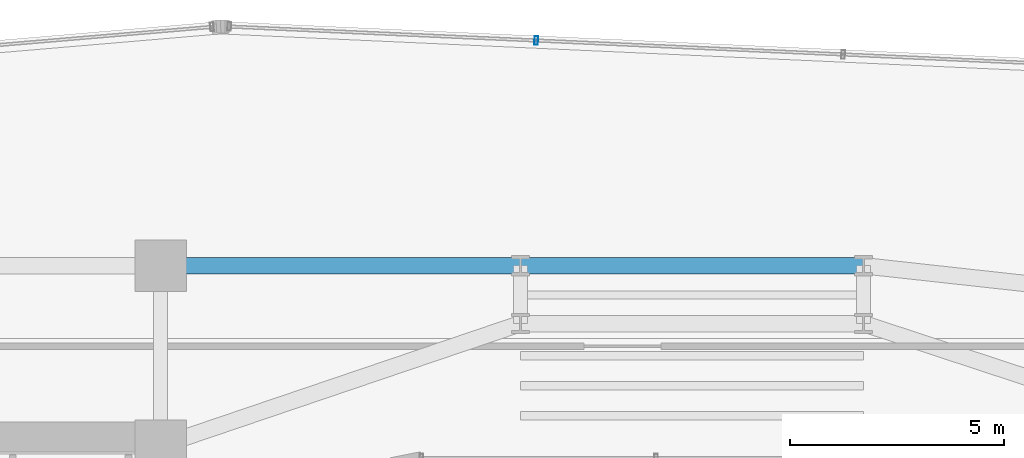
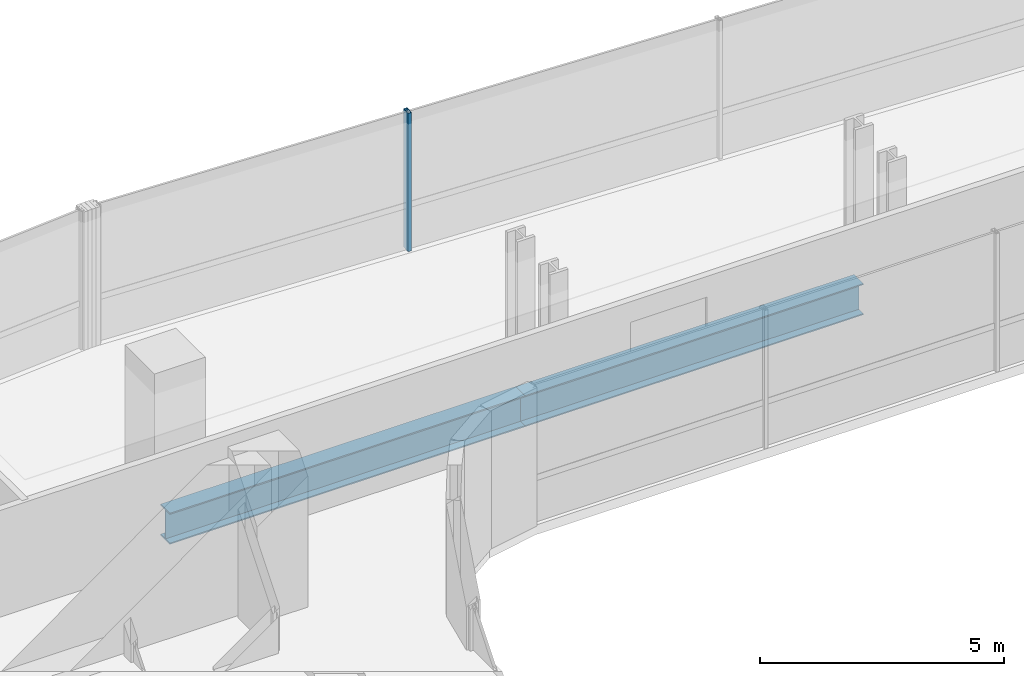
# One storey, part 21 of 35: 2 beams, 1 member, 1 element without a shape of its own.
"""IFC4 building model written with IfcOpenShell, lengths in metres."""

import ifcopenshell
import ifcopenshell.guid

model = None  # the IFC model being written
_history = None  # IfcOwnerHistory: only IFC2X3 demands one
_inside = {}  # id of a spatial element -> (the spatial element, [elements in it])
_under = {}  # id of a project, library or spatial element -> (it, [spatial elements below it])
_declared = {}  # id of a project -> (the project, [libraries it declares])
_typed = {}  # id of a type object -> (the type object, [elements of that type])
_made_of = {}  # id of a material, layer set ... -> (it, [elements and type objects made of it])


def new_model(schema):
    """Start an empty IFC model of exactly this schema.

    Asked for "IFC4X3", IfcOpenShell would pick the latest addendum, in which some entities
    have other attributes; the version numbers below select the first issue.
    IFC2X3 requires an IfcOwnerHistory on every rooted entity: one is made here for all.
    """
    global model, _history
    if schema == "IFC4X3":
        model = ifcopenshell.file(schema_version=(4, 3, 0, 0))
    else:
        model = ifcopenshell.file(schema=schema)
    _inside.clear()
    _under.clear()
    _declared.clear()
    _typed.clear()
    _made_of.clear()
    _history = None
    if model.schema == "IFC2X3":
        org = make("IfcOrganization", Name="unknown")
        user = make(
            "IfcPersonAndOrganization",
            ThePerson=make("IfcPerson", FamilyName="unknown"),
            TheOrganization=org,
        )
        app = make(
            "IfcApplication",
            ApplicationDeveloper=org,
            Version="unknown",
            ApplicationFullName="unknown",
            ApplicationIdentifier="unknown",
        )
        _history = make(
            "IfcOwnerHistory",
            OwningUser=user,
            OwningApplication=app,
            ChangeAction="ADDED",
            CreationDate=0,
        )
    return model


def make(cls, **values):
    """One entity of the class cls with the attributes given. An attribute that is None is left unset."""
    return model.create_entity(
        cls, **{name: value for name, value in values.items() if value is not None}
    )


def rooted(cls, **values):
    """An entity with a GlobalId (a new one), such as an element, a storey or a relation."""
    return make(cls, GlobalId=ifcopenshell.guid.new(), OwnerHistory=_history, **values)


def si_unit(unit_type, name, prefix=None):
    """IfcSIUnit, for example si_unit("LENGTHUNIT", "METRE", prefix="MILLI")."""
    return make("IfcSIUnit", UnitType=unit_type, Prefix=prefix, Name=name)


def assignment(units):
    """IfcUnitAssignment: the units of a project."""
    return None if units is None else make("IfcUnitAssignment", Units=units)


def point(xyz):
    """IfcCartesianPoint."""
    return None if xyz is None else make("IfcCartesianPoint", Coordinates=xyz)


def direction(xyz):
    """IfcDirection."""
    return None if xyz is None else make("IfcDirection", DirectionRatios=xyz)


def frame(location, z_axis=None, x_axis=None):
    """IfcAxis2Placement3D, a coordinate frame: its origin and axes. An axis left out is left unset."""
    return make(
        "IfcAxis2Placement3D",
        Location=point(location),
        Axis=direction(z_axis),
        RefDirection=direction(x_axis),
    )


def frame_2d(location, x_axis=None):
    """IfcAxis2Placement2D, a coordinate frame in the plane: its origin and x axis."""
    return make(
        "IfcAxis2Placement2D", Location=point(location), RefDirection=direction(x_axis)
    )


def origin():
    """The frame at (0, 0, 0) with its axes left unset."""
    return frame((0.0, 0.0, 0.0))


def origin_2d():
    """The frame at (0, 0) in the plane with its x axis left unset."""
    return frame_2d((0.0, 0.0))


def place(relative_to, where):
    """IfcLocalPlacement: puts the frame where relative to a parent placement (None: the world)."""
    return make(
        "IfcLocalPlacement", PlacementRelTo=relative_to, RelativePlacement=where
    )


def context(
    kind, dimensions, precision=None, world=None, true_north=None, identifier=None
):
    """IfcGeometricRepresentationContext, for example the 3D "Model" context."""
    return make(
        "IfcGeometricRepresentationContext",
        ContextIdentifier=identifier,
        ContextType=kind,
        CoordinateSpaceDimension=dimensions,
        Precision=precision,
        WorldCoordinateSystem=world,
        TrueNorth=true_north,
    )


def subcontext(parent, identifier, kind, view, scale=None):
    """IfcGeometricRepresentationSubContext, for example "Body" below "Model"."""
    return make(
        "IfcGeometricRepresentationSubContext",
        ContextIdentifier=identifier,
        ContextType=kind,
        ParentContext=parent,
        TargetScale=scale,
        TargetView=view,
    )


def project(units=None, contexts=None):
    """IfcProject with its units and contexts."""
    return rooted(
        "IfcProject",
        Name="project",
        RepresentationContexts=contexts,
        UnitsInContext=assignment(units),
    )


def spatial(cls, under=None, at=None, **own):
    """A site, building, storey or space (cls), placed at a placement, below another one or the project."""
    s = rooted(cls, ObjectPlacement=at, **own)
    if under is not None:
        _under.setdefault(under.id(), (under, []))[1].append(s)
    return s


def profile(cls, at=None, kind="AREA", **sizes):
    """A parametric profile (cls). Its sizes go by their IFC names, for example OverallWidth=200.0."""
    return make(cls, ProfileType=kind, Position=at, **sizes)


def hollow_rectangle(**sizes):
    """IfcRectangleHollowProfileDef."""
    return profile("IfcRectangleHollowProfileDef", **sizes)


def i_section(**sizes):
    """IfcIShapeProfileDef."""
    return profile("IfcIShapeProfileDef", **sizes)


def extrude(swept, where, along, depth):
    """IfcExtrudedAreaSolid: the profile swept, set in the frame where, extruded along a direction by depth."""
    return make(
        "IfcExtrudedAreaSolid",
        SweptArea=swept,
        Position=where,
        ExtrudedDirection=direction(along),
        Depth=depth,
    )


def shape(context_of_items, identifier, shape_type, items):
    """IfcShapeRepresentation: the items that make up one representation, for example the "Body"."""
    return make(
        "IfcShapeRepresentation",
        ContextOfItems=context_of_items,
        RepresentationIdentifier=identifier,
        RepresentationType=shape_type,
        Items=items,
    )


def source(mapping_origin, context_of_items, identifier, shape_type, items):
    """IfcRepresentationMap: a shape defined once, which mapped items show again and again."""
    return make(
        "IfcRepresentationMap",
        MappingOrigin=mapping_origin,
        MappedRepresentation=shape(context_of_items, identifier, shape_type, items),
    )


def transform(
    local_origin,
    x_axis=None,
    y_axis=None,
    z_axis=None,
    scale=None,
    scale2=None,
    scale3=None,
    uniform=True,
):
    """IfcCartesianTransformationOperator3D, or its non-uniform kind. x_axis, y_axis, z_axis: its Axis1, 2, 3."""
    if uniform:
        return make(
            "IfcCartesianTransformationOperator3D",
            Axis1=direction(x_axis),
            Axis2=direction(y_axis),
            LocalOrigin=point(local_origin),
            Scale=scale,
            Axis3=direction(z_axis),
        )
    return make(
        "IfcCartesianTransformationOperator3DnonUniform",
        Axis1=direction(x_axis),
        Axis2=direction(y_axis),
        LocalOrigin=point(local_origin),
        Scale=scale,
        Axis3=direction(z_axis),
        Scale2=scale2,
        Scale3=scale3,
    )


def mapped(mapping_source, mapping_target):
    """IfcMappedItem: shows the shape of a source again, moved by a transform."""
    return make(
        "IfcMappedItem", MappingSource=mapping_source, MappingTarget=mapping_target
    )


def material(Name=None, Category=None):
    """IfcMaterial."""
    return make("IfcMaterial", Name=Name, Category=Category)


def material_profile(
    of_material, cross_section, Name=None, Category=None, Priority=None
):
    """IfcMaterialProfile: a cross section and its material."""
    return make(
        "IfcMaterialProfile",
        Name=Name,
        Material=of_material,
        Profile=cross_section,
        Priority=Priority,
        Category=Category,
    )


def profile_set(profiles, Name=None, composite=None):
    """IfcMaterialProfileSet."""
    return make(
        "IfcMaterialProfileSet",
        Name=Name,
        MaterialProfiles=profiles,
        CompositeProfile=composite,
    )


def made_of(thing, what):
    """Note that an element or type object is made of a material, layer set ...; save() writes the relation."""
    if what is not None:
        _made_of.setdefault(what.id(), (what, []))[1].append(thing)
    return thing


def type_object(cls, material=None, **own):
    """A type object (cls), such as IfcWallType, which elements share."""
    return made_of(rooted(cls, **own), material)


def element(
    cls,
    number,
    at=None,
    inside=None,
    cuts=None,
    type_object=None,
    material=None,
    context=None,
    identifier="Body",
    shape_type=None,
    held_by="IfcProductDefinitionShape",
    body=None,
    shapes=None,
    **own,
):
    """One element of the class cls, such as IfcWall. Its Tag is "e" and its number.

    at: its placement. inside: the storey or other place that contains it. cuts: it is an
    opening in that element (IfcRelVoidsElement). A single representation is given by context,
    identifier, shape_type and body (its items); several are given by shapes. held_by: the class
    of the entity that holds the representations. save() writes the other relations.
    """
    e = rooted(cls, Tag="e%d" % number, ObjectPlacement=at, **own)
    if body is not None:
        shapes = [shape(context, identifier, shape_type, body)]
    if shapes is not None:
        e.Representation = make(held_by, Representations=shapes)
    if inside is not None:
        _inside.setdefault(inside.id(), (inside, []))[1].append(e)
    if cuts is not None:
        rooted(
            "IfcRelVoidsElement", RelatingBuildingElement=cuts, RelatedOpeningElement=e
        )
    if type_object is not None:
        _typed.setdefault(type_object.id(), (type_object, []))[1].append(e)
    return made_of(e, material)


def aggregate(whole, parts):
    """IfcRelAggregates: a whole, such as a stair, and the parts it consists of."""
    return rooted("IfcRelAggregates", RelatingObject=whole, RelatedObjects=parts)


def save(model, path):
    """Write the relations noted so far, then the file.

    IfcRelAggregates (storeys below a building ...), IfcRelContainedInSpatialStructure (elements
    in a storey), IfcRelDefinesByType, IfcRelAssociatesMaterial and IfcRelDeclares: one each for
    every whole, place, type object, material and project.
    """
    for whole, parts in _under.values():
        aggregate(whole, parts)
    for where, things in _inside.values():
        rooted(
            "IfcRelContainedInSpatialStructure",
            RelatedElements=things,
            RelatingStructure=where,
        )
    for kind, things in _typed.values():
        rooted("IfcRelDefinesByType", RelatedObjects=things, RelatingType=kind)
    for what, things in _made_of.values():
        rooted("IfcRelAssociatesMaterial", RelatedObjects=things, RelatingMaterial=what)
    for by, libraries in _declared.values():
        rooted("IfcRelDeclares", RelatingContext=by, RelatedDefinitions=libraries)
    model.write(path)


model = new_model("IFC4")

# Units and contexts
model_context = context("Model", 3, precision=1e-05, world=origin(), true_north=direction((0.0, 1.0)))
body_context = subcontext(model_context, "Body", "Model", "MODEL_VIEW")
ifc_project = project(units=[si_unit("LENGTHUNIT", "METRE"), si_unit("AREAUNIT", "SQUARE_METRE"), si_unit("VOLUMEUNIT", "CUBIC_METRE"), si_unit("PLANEANGLEUNIT", "RADIAN"), si_unit("MASSUNIT", "GRAM", prefix="KILO")], contexts=[model_context])

# Site, building, storey
site_placement = place(None, origin())
site = spatial("IfcSite", under=ifc_project, at=site_placement, CompositionType="ELEMENT")
building_placement = place(site_placement, origin())
building = spatial("IfcBuilding", under=site, at=building_placement, Name="Valdorenza Pilgrim Sanctuary Tower", CompositionType="ELEMENT")
storey_placement = place(building_placement, frame((0.0, 0.0, 150.10009765625)))
storey = spatial("IfcBuildingStorey", under=building, at=storey_placement, Name="L38", CompositionType="ELEMENT", Elevation=150.10009765625)

# Beams
ifc_material_1 = material(Name="Steel ASTM A992 Grade 50", Category="steel")
ifc_material_profile_1 = material_profile(ifc_material_1, i_section(OverallWidth=0.382080078125, OverallDepth=0.779052734375, WebThickness=0.01806640625, FlangeThickness=0.030029296875, at=origin_2d()), Name="W30X191")
ifc_profile_set_1 = profile_set([ifc_material_profile_1], Name="Steel ASTM A992 Grade 50")
beam_type = type_object("IfcBeamType", Name="STR-BM-GRD-W30", PredefinedType="BEAM", material=ifc_profile_set_1)
shared_shape_1 = source(origin(), body_context, "Body", "SweptSolid", [
    extrude(i_section(OverallWidth=0.382080078125, OverallDepth=0.779052734375, WebThickness=0.01806640625, FlangeThickness=0.030029296875, at=origin_2d()), origin(), (0.0, 0.0, 1.0), 8.0),
])
beam_1_placement = place(storey_placement, frame((-4.0, 14.800048828125, -0.629638671875), z_axis=(1.0, 0.0, 0.0), x_axis=(0.0, 1.0, 0.0)))
element("IfcBeam", 1, at=beam_1_placement, inside=storey, type_object=beam_type, Name="L38 Floor Girder KNK-G5", PredefinedType="BEAM", context=body_context, shape_type="MappedRepresentation", body=[
    mapped(shared_shape_1, transform((0.0, 0.0, 0.0), x_axis=(1.0, 0.0, 0.0), y_axis=(0.0, 1.0, 0.0), z_axis=(0.0, 0.0, 1.0), scale=1.0)),
])
shared_shape_2 = source(origin(), body_context, "Body", "SweptSolid", [
    extrude(i_section(OverallWidth=0.382080078125, OverallDepth=0.779052734375, WebThickness=0.01806640625, FlangeThickness=0.030029296875, at=origin_2d()), origin(), (0.0, 0.0, 1.0), 8.39990234375),
])
beam_2_placement = place(storey_placement, frame((-12.39990234375, 14.800048828125, -0.629638671875), z_axis=(1.0, 0.0, 0.0), x_axis=(0.0, 1.0, 0.0)))
element("IfcBeam", 2, at=beam_2_placement, inside=storey, type_object=beam_type, Name="L38 Floor Girder KNK-G4", PredefinedType="BEAM", context=body_context, shape_type="MappedRepresentation", body=[
    mapped(shared_shape_2, transform((0.0, 0.0, 0.0), x_axis=(1.0, 0.0, 0.0), y_axis=(0.0, 1.0, 0.0), z_axis=(0.0, 0.0, 1.0), scale=1.0)),
])

# Curtain wall, member
ifc_material_2 = material(Name="Curtain-wall IGU glazing", Category="glass")
curtain_wall_type = type_object("IfcCurtainWallType", Name="CW-SYS-02", PredefinedType="NOTDEFINED", material=ifc_material_2)
curtain_wall_placement = place(storey_placement, origin())
curtain_wall = element("IfcCurtainWall", 3, at=curtain_wall_placement, inside=storey, type_object=curtain_wall_type, Name="L38 Curtain Wall CW-L38-1-11", PredefinedType="NOTDEFINED")
ifc_material_3 = material(Name="Anodised aluminium AW-6060", Category="aluminium")
ifc_material_profile_2 = material_profile(ifc_material_3, hollow_rectangle(XDim=0.0849609375, YDim=0.199951171875, WallThickness=0.0048828125, at=origin_2d()), Name="ALU-M 200x85x5")
ifc_profile_set_2 = profile_set([ifc_material_profile_2], Name="Anodised aluminium AW-6060")
member_type = type_object("IfcMemberType", Name="CW-MUL-02", PredefinedType="MULLION", material=ifc_profile_set_2)
shared_shape_3 = source(origin(), body_context, "Body", "SweptSolid", [
    extrude(hollow_rectangle(XDim=0.0849609375, YDim=0.199951171875, WallThickness=0.0048828125, at=origin_2d()), origin(), (0.0, 0.0, 1.0), 3.4599609375),
])
member_placement = place(storey_placement, frame((-3.6337890625, 20.05517578125, 0.0), z_axis=(0.0, 0.0, 1.0), x_axis=(0.998968193221, -0.045415294044, 0.0)))
member = element("IfcMember", 4, at=member_placement, type_object=member_type, Name="CW-L38-1-11 Mullion 2", PredefinedType="MULLION", context=body_context, shape_type="MappedRepresentation", body=[
    mapped(shared_shape_3, transform((0.0, 0.0, 0.0), x_axis=(1.0, 0.0, 0.0), y_axis=(0.0, 1.0, 0.0), z_axis=(0.0, 0.0, 1.0), scale=1.0)),
])
aggregate(curtain_wall, [member])

save(model, "model.ifc")
